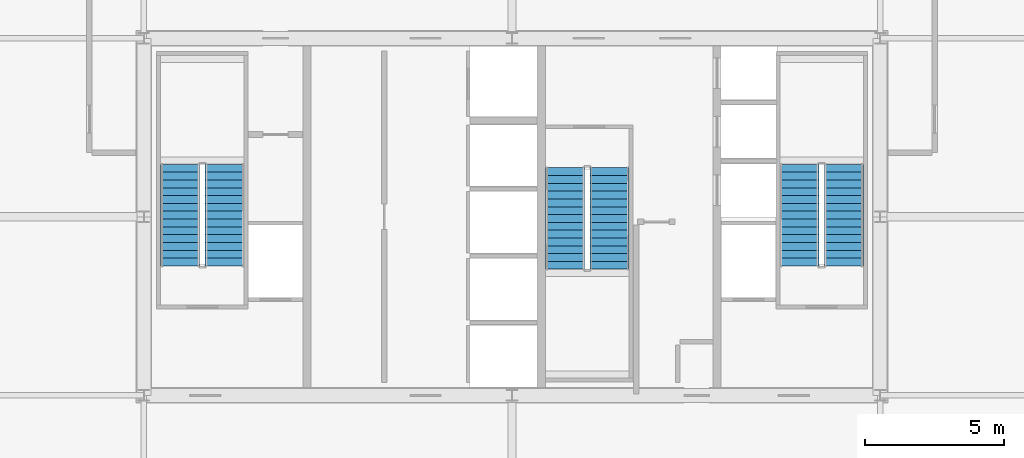
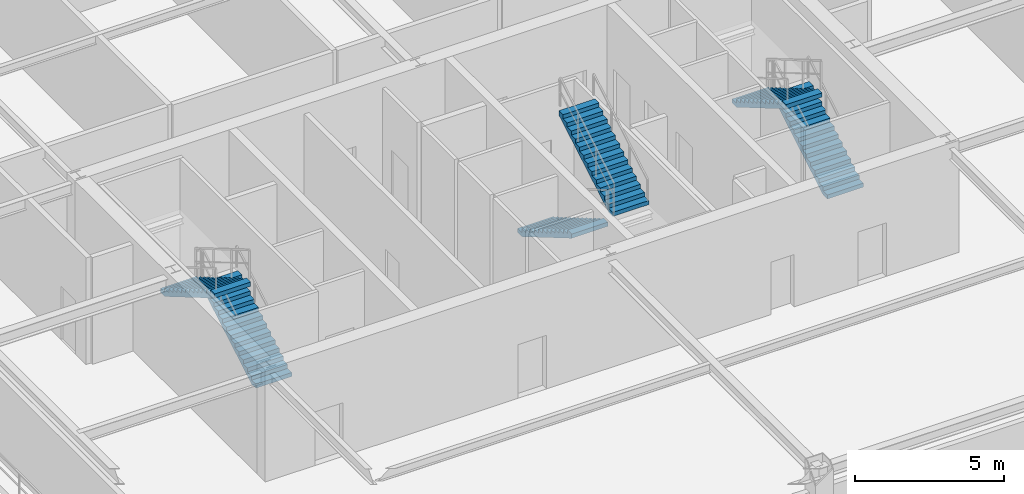
# One storey, part 5 of 8: 6 stair flights, 3 elements without a shape of their own.
"""IFC4 building model written with IfcOpenShell, lengths in metres."""

import ifcopenshell
import ifcopenshell.guid

model = None  # the IFC model being written
_history = None  # IfcOwnerHistory: only IFC2X3 demands one
_inside = {}  # id of a spatial element -> (the spatial element, [elements in it])
_under = {}  # id of a project, library or spatial element -> (it, [spatial elements below it])
_declared = {}  # id of a project -> (the project, [libraries it declares])
_typed = {}  # id of a type object -> (the type object, [elements of that type])
_made_of = {}  # id of a material, layer set ... -> (it, [elements and type objects made of it])


def new_model(schema):
    """Start an empty IFC model of exactly this schema.

    Asked for "IFC4X3", IfcOpenShell would pick the latest addendum, in which some entities
    have other attributes; the version numbers below select the first issue.
    IFC2X3 requires an IfcOwnerHistory on every rooted entity: one is made here for all.
    """
    global model, _history
    if schema == "IFC4X3":
        model = ifcopenshell.file(schema_version=(4, 3, 0, 0))
    else:
        model = ifcopenshell.file(schema=schema)
    _inside.clear()
    _under.clear()
    _declared.clear()
    _typed.clear()
    _made_of.clear()
    _history = None
    if model.schema == "IFC2X3":
        org = make("IfcOrganization", Name="unknown")
        user = make(
            "IfcPersonAndOrganization",
            ThePerson=make("IfcPerson", FamilyName="unknown"),
            TheOrganization=org,
        )
        app = make(
            "IfcApplication",
            ApplicationDeveloper=org,
            Version="unknown",
            ApplicationFullName="unknown",
            ApplicationIdentifier="unknown",
        )
        _history = make(
            "IfcOwnerHistory",
            OwningUser=user,
            OwningApplication=app,
            ChangeAction="ADDED",
            CreationDate=0,
        )
    return model


def make(cls, **values):
    """One entity of the class cls with the attributes given. An attribute that is None is left unset."""
    return model.create_entity(
        cls, **{name: value for name, value in values.items() if value is not None}
    )


def rooted(cls, **values):
    """An entity with a GlobalId (a new one), such as an element, a storey or a relation."""
    return make(cls, GlobalId=ifcopenshell.guid.new(), OwnerHistory=_history, **values)


def si_unit(unit_type, name, prefix=None):
    """IfcSIUnit, for example si_unit("LENGTHUNIT", "METRE", prefix="MILLI")."""
    return make("IfcSIUnit", UnitType=unit_type, Prefix=prefix, Name=name)


def assignment(units):
    """IfcUnitAssignment: the units of a project."""
    return None if units is None else make("IfcUnitAssignment", Units=units)


def point(xyz):
    """IfcCartesianPoint."""
    return None if xyz is None else make("IfcCartesianPoint", Coordinates=xyz)


def direction(xyz):
    """IfcDirection."""
    return None if xyz is None else make("IfcDirection", DirectionRatios=xyz)


def frame(location, z_axis=None, x_axis=None):
    """IfcAxis2Placement3D, a coordinate frame: its origin and axes. An axis left out is left unset."""
    return make(
        "IfcAxis2Placement3D",
        Location=point(location),
        Axis=direction(z_axis),
        RefDirection=direction(x_axis),
    )


def origin():
    """The frame at (0, 0, 0) with its axes left unset."""
    return frame((0.0, 0.0, 0.0))


def place(relative_to, where):
    """IfcLocalPlacement: puts the frame where relative to a parent placement (None: the world)."""
    return make(
        "IfcLocalPlacement", PlacementRelTo=relative_to, RelativePlacement=where
    )


def context(
    kind, dimensions, precision=None, world=None, true_north=None, identifier=None
):
    """IfcGeometricRepresentationContext, for example the 3D "Model" context."""
    return make(
        "IfcGeometricRepresentationContext",
        ContextIdentifier=identifier,
        ContextType=kind,
        CoordinateSpaceDimension=dimensions,
        Precision=precision,
        WorldCoordinateSystem=world,
        TrueNorth=true_north,
    )


def subcontext(parent, identifier, kind, view, scale=None):
    """IfcGeometricRepresentationSubContext, for example "Body" below "Model"."""
    return make(
        "IfcGeometricRepresentationSubContext",
        ContextIdentifier=identifier,
        ContextType=kind,
        ParentContext=parent,
        TargetScale=scale,
        TargetView=view,
    )


def project(units=None, contexts=None):
    """IfcProject with its units and contexts."""
    return rooted(
        "IfcProject",
        Name="project",
        RepresentationContexts=contexts,
        UnitsInContext=assignment(units),
    )


def spatial(cls, under=None, at=None, **own):
    """A site, building, storey or space (cls), placed at a placement, below another one or the project."""
    s = rooted(cls, ObjectPlacement=at, **own)
    if under is not None:
        _under.setdefault(under.id(), (under, []))[1].append(s)
    return s


def polyline(points):
    """IfcPolyline through the points."""
    return make("IfcPolyline", Points=[point(p) for p in points])


def outline(outer, holes=None, kind="AREA"):
    """IfcArbitraryClosedProfileDef: a profile drawn as a closed curve; with holes, ...WithVoids."""
    if holes is None:
        return make("IfcArbitraryClosedProfileDef", ProfileType=kind, OuterCurve=outer)
    return make(
        "IfcArbitraryProfileDefWithVoids",
        ProfileType=kind,
        OuterCurve=outer,
        InnerCurves=holes,
    )


def extrude(swept, where, along, depth):
    """IfcExtrudedAreaSolid: the profile swept, set in the frame where, extruded along a direction by depth."""
    return make(
        "IfcExtrudedAreaSolid",
        SweptArea=swept,
        Position=where,
        ExtrudedDirection=direction(along),
        Depth=depth,
    )


def shape(context_of_items, identifier, shape_type, items):
    """IfcShapeRepresentation: the items that make up one representation, for example the "Body"."""
    return make(
        "IfcShapeRepresentation",
        ContextOfItems=context_of_items,
        RepresentationIdentifier=identifier,
        RepresentationType=shape_type,
        Items=items,
    )


def source(mapping_origin, context_of_items, identifier, shape_type, items):
    """IfcRepresentationMap: a shape defined once, which mapped items show again and again."""
    return make(
        "IfcRepresentationMap",
        MappingOrigin=mapping_origin,
        MappedRepresentation=shape(context_of_items, identifier, shape_type, items),
    )


def transform(
    local_origin,
    x_axis=None,
    y_axis=None,
    z_axis=None,
    scale=None,
    scale2=None,
    scale3=None,
    uniform=True,
):
    """IfcCartesianTransformationOperator3D, or its non-uniform kind. x_axis, y_axis, z_axis: its Axis1, 2, 3."""
    if uniform:
        return make(
            "IfcCartesianTransformationOperator3D",
            Axis1=direction(x_axis),
            Axis2=direction(y_axis),
            LocalOrigin=point(local_origin),
            Scale=scale,
            Axis3=direction(z_axis),
        )
    return make(
        "IfcCartesianTransformationOperator3DnonUniform",
        Axis1=direction(x_axis),
        Axis2=direction(y_axis),
        LocalOrigin=point(local_origin),
        Scale=scale,
        Axis3=direction(z_axis),
        Scale2=scale2,
        Scale3=scale3,
    )


def mapped(mapping_source, mapping_target):
    """IfcMappedItem: shows the shape of a source again, moved by a transform."""
    return make(
        "IfcMappedItem", MappingSource=mapping_source, MappingTarget=mapping_target
    )


def material(Name=None, Category=None):
    """IfcMaterial."""
    return make("IfcMaterial", Name=Name, Category=Category)


def made_of(thing, what):
    """Note that an element or type object is made of a material, layer set ...; save() writes the relation."""
    if what is not None:
        _made_of.setdefault(what.id(), (what, []))[1].append(thing)
    return thing


def type_object(cls, material=None, **own):
    """A type object (cls), such as IfcWallType, which elements share."""
    return made_of(rooted(cls, **own), material)


def element(
    cls,
    number,
    at=None,
    inside=None,
    cuts=None,
    type_object=None,
    material=None,
    context=None,
    identifier="Body",
    shape_type=None,
    held_by="IfcProductDefinitionShape",
    body=None,
    shapes=None,
    **own,
):
    """One element of the class cls, such as IfcWall. Its Tag is "e" and its number.

    at: its placement. inside: the storey or other place that contains it. cuts: it is an
    opening in that element (IfcRelVoidsElement). A single representation is given by context,
    identifier, shape_type and body (its items); several are given by shapes. held_by: the class
    of the entity that holds the representations. save() writes the other relations.
    """
    e = rooted(cls, Tag="e%d" % number, ObjectPlacement=at, **own)
    if body is not None:
        shapes = [shape(context, identifier, shape_type, body)]
    if shapes is not None:
        e.Representation = make(held_by, Representations=shapes)
    if inside is not None:
        _inside.setdefault(inside.id(), (inside, []))[1].append(e)
    if cuts is not None:
        rooted(
            "IfcRelVoidsElement", RelatingBuildingElement=cuts, RelatedOpeningElement=e
        )
    if type_object is not None:
        _typed.setdefault(type_object.id(), (type_object, []))[1].append(e)
    return made_of(e, material)


def aggregate(whole, parts):
    """IfcRelAggregates: a whole, such as a stair, and the parts it consists of."""
    return rooted("IfcRelAggregates", RelatingObject=whole, RelatedObjects=parts)


def save(model, path):
    """Write the relations noted so far, then the file.

    IfcRelAggregates (storeys below a building ...), IfcRelContainedInSpatialStructure (elements
    in a storey), IfcRelDefinesByType, IfcRelAssociatesMaterial and IfcRelDeclares: one each for
    every whole, place, type object, material and project.
    """
    for whole, parts in _under.values():
        aggregate(whole, parts)
    for where, things in _inside.values():
        rooted(
            "IfcRelContainedInSpatialStructure",
            RelatedElements=things,
            RelatingStructure=where,
        )
    for kind, things in _typed.values():
        rooted("IfcRelDefinesByType", RelatedObjects=things, RelatingType=kind)
    for what, things in _made_of.values():
        rooted("IfcRelAssociatesMaterial", RelatedObjects=things, RelatingMaterial=what)
    for by, libraries in _declared.values():
        rooted("IfcRelDeclares", RelatingContext=by, RelatedDefinitions=libraries)
    model.write(path)


model = new_model("IFC4")

# Units and contexts
model_context = context("Model", 3, precision=1e-05, world=origin(), true_north=direction((0.0, 1.0)))
body_context = subcontext(model_context, "Body", "Model", "MODEL_VIEW")
ifc_project = project(units=[si_unit("LENGTHUNIT", "METRE"), si_unit("AREAUNIT", "SQUARE_METRE"), si_unit("VOLUMEUNIT", "CUBIC_METRE"), si_unit("PLANEANGLEUNIT", "RADIAN"), si_unit("MASSUNIT", "GRAM", prefix="KILO"), si_unit("THERMODYNAMICTEMPERATUREUNIT", "KELVIN"), si_unit("POWERUNIT", "WATT")], contexts=[model_context])

# Site, building, storey
site_placement = place(None, origin())
site = spatial("IfcSite", under=ifc_project, at=site_placement, CompositionType="ELEMENT")
building_placement = place(site_placement, origin())
building = spatial("IfcBuilding", under=site, at=building_placement, Name="Yuzanri Waterfront Tower", CompositionType="ELEMENT")
storey_placement = place(building_placement, frame((0.0, 0.0, 263.5)))
storey = spatial("IfcBuildingStorey", under=building, at=storey_placement, Name="L70", CompositionType="ELEMENT", Elevation=263.5)

# Stair, stair flights
ifc_material_1 = material(Name="Concrete C40", Category="concrete")
stair_type = type_object("IfcStairType", Name="Concrete C40 Core Dogleg Exit Stair", PredefinedType="HALF_TURN_STAIR", material=ifc_material_1)
stair_1_placement = place(storey_placement, origin())
stair_1 = element("IfcStair", 1, at=stair_1_placement, inside=storey, type_object=stair_type, Name="L70 Smoke-Proof Core Stair ST-01", PredefinedType="HALF_TURN_STAIR")
ifc_material_2 = material(Name="Concrete C40", Category="concrete")
stair_flight_type = type_object("IfcStairFlightType", Name="Concrete C40 Tall-Storey Precast Stair Flight 1380", PredefinedType="STRAIGHT", material=ifc_material_2)
shared_shape = source(origin(), body_context, "Body", "SweptSolid", [
    extrude(outline(polyline([(0.0, 0.0), (0.0, 0.164306640625), (0.280029296875, 0.164306640625), (0.280029296875, 0.32861328125), (0.56005859375, 0.32861328125), (0.56005859375, 0.492919921875), (0.840087890625, 0.492919921875), (0.840087890625, 0.6572265625), (1.1201171875, 0.6572265625), (1.1201171875, 0.821533203125), (1.39990234375, 0.821533203125), (1.39990234375, 0.985595703125), (1.679931640625, 0.985595703125), (1.679931640625, 1.14990234375), (1.9599609375, 1.14990234375), (1.9599609375, 1.314208984375), (2.239990234375, 1.314208984375), (2.239990234375, 1.478515625), (2.52001953125, 1.478515625), (2.52001953125, 1.642822265625), (2.800048828125, 1.642822265625), (2.800048828125, 1.80712890625), (3.080078125, 1.80712890625), (3.080078125, 1.971435546875), (3.360107421875, 1.971435546875), (3.360107421875, 2.1357421875), (3.639892578125, 2.1357421875), (3.639892578125, 2.300048828125), (3.639892578125, 1.9619140625), (0.296142578125, 0.0), (0.0, 0.0)])), frame((0.0, 0.699951171875, 0.0), z_axis=(0.0, -1.0, 0.0), x_axis=(1.0, 0.0, 0.0)), (0.0, 0.0, 1.0), 1.39990234375),
])
stair_flight_1_placement = place(storey_placement, frame((26.699951171875, 24.0400390625, 0.0), z_axis=(0.0, 0.0, 1.0), x_axis=(0.0, 1.0, 0.0)))
stair_flight_1 = element("IfcStairFlight", 2, at=stair_flight_1_placement, type_object=stair_flight_type, Name="ST-01 flight 1", NumberOfRisers=14, NumberOfTreads=13, PredefinedType="STRAIGHT", RiserHeight=0.164285714, TreadLength=0.28, context=body_context, shape_type="MappedRepresentation", body=[
    mapped(shared_shape, transform((0.0, 0.0, 0.0), scale=1.0)),
])
stair_flight_2_placement = place(storey_placement, frame((25.10009765625, 27.679931640625, 2.300048828125), z_axis=(0.0, 0.0, 1.0), x_axis=(0.0, -1.0, 0.0)))
stair_flight_2 = element("IfcStairFlight", 3, at=stair_flight_2_placement, type_object=stair_flight_type, Name="ST-01 flight 2", NumberOfRisers=14, NumberOfTreads=13, PredefinedType="STRAIGHT", RiserHeight=0.164285714, TreadLength=0.28, context=body_context, shape_type="MappedRepresentation", body=[
    mapped(shared_shape, transform((0.0, 0.0, 0.0), scale=1.0)),
])
aggregate(stair_1, [stair_flight_1, stair_flight_2])

stair_2_placement = place(storey_placement, origin())
stair_2 = element("IfcStair", 4, at=stair_2_placement, inside=storey, type_object=stair_type, Name="L70 Smoke-Proof Core Stair ST-02", PredefinedType="HALF_TURN_STAIR")
stair_flight_3_placement = place(storey_placement, frame((48.89990234375, 24.0400390625, 0.0), z_axis=(0.0, 0.0, 1.0), x_axis=(0.0, 1.0, 0.0)))
stair_flight_3 = element("IfcStairFlight", 5, at=stair_flight_3_placement, type_object=stair_flight_type, Name="ST-02 flight 1", NumberOfRisers=14, NumberOfTreads=13, PredefinedType="STRAIGHT", RiserHeight=0.164285714, TreadLength=0.28, context=body_context, shape_type="MappedRepresentation", body=[
    mapped(shared_shape, transform((0.0, 0.0, 0.0), scale=1.0)),
])
stair_flight_4_placement = place(storey_placement, frame((47.300048828125, 27.679931640625, 2.300048828125), z_axis=(0.0, 0.0, 1.0), x_axis=(0.0, -1.0, 0.0)))
stair_flight_4 = element("IfcStairFlight", 6, at=stair_flight_4_placement, type_object=stair_flight_type, Name="ST-02 flight 2", NumberOfRisers=14, NumberOfTreads=13, PredefinedType="STRAIGHT", RiserHeight=0.164285714, TreadLength=0.28, context=body_context, shape_type="MappedRepresentation", body=[
    mapped(shared_shape, transform((0.0, 0.0, 0.0), scale=1.0)),
])
aggregate(stair_2, [stair_flight_3, stair_flight_4])

stair_3_placement = place(storey_placement, origin())
stair_3 = element("IfcStair", 7, at=stair_3_placement, inside=storey, type_object=stair_type, Name="L70 Smoke-Proof Core Stair ST-03", PredefinedType="HALF_TURN_STAIR")
stair_flight_5_placement = place(storey_placement, frame((38.89990234375, 27.56005859375, 0.0), z_axis=(0.0, 0.0, 1.0), x_axis=(0.0, -1.0, 0.0)))
stair_flight_5 = element("IfcStairFlight", 8, at=stair_flight_5_placement, type_object=stair_flight_type, Name="ST-03 flight 1", NumberOfRisers=14, NumberOfTreads=13, PredefinedType="STRAIGHT", RiserHeight=0.164285714, TreadLength=0.28, context=body_context, shape_type="MappedRepresentation", body=[
    mapped(shared_shape, transform((0.0, 0.0, 0.0), scale=1.0)),
])
stair_flight_6_placement = place(storey_placement, frame((40.5, 23.919921875, 2.300048828125), z_axis=(0.0, 0.0, 1.0), x_axis=(0.0, 1.0, 0.0)))
stair_flight_6 = element("IfcStairFlight", 9, at=stair_flight_6_placement, type_object=stair_flight_type, Name="ST-03 flight 2", NumberOfRisers=14, NumberOfTreads=13, PredefinedType="STRAIGHT", RiserHeight=0.164285714, TreadLength=0.28, context=body_context, shape_type="MappedRepresentation", body=[
    mapped(shared_shape, transform((0.0, 0.0, 0.0), scale=1.0)),
])
aggregate(stair_3, [stair_flight_5, stair_flight_6])

save(model, "model.ifc")
